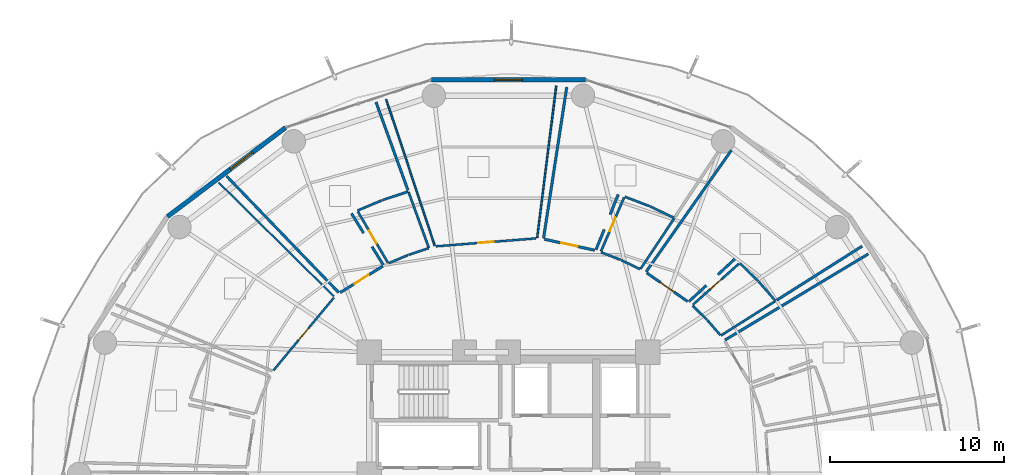
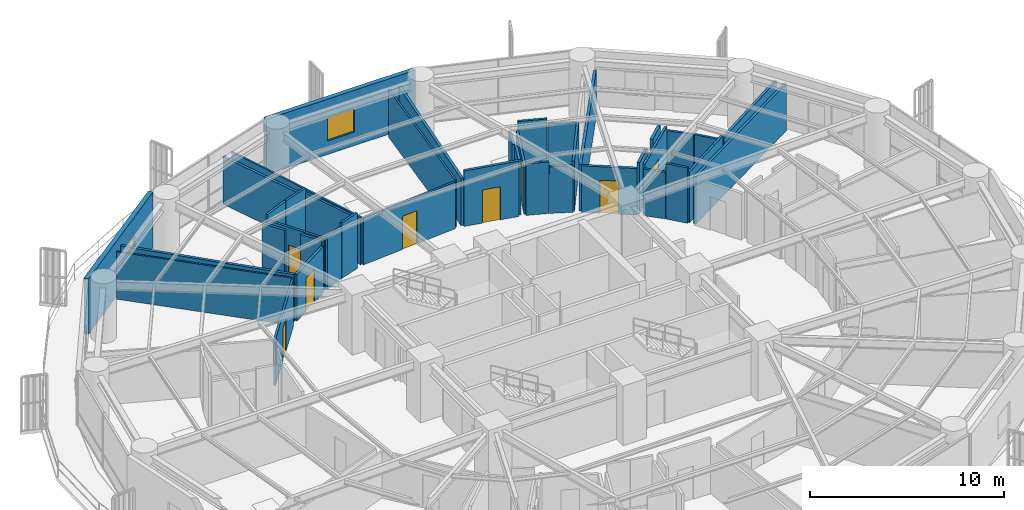
# One storey, part 28 of 33: 40 walls, 8 doors, 2 windows, 10 openings.
"""IFC4 building model written with IfcOpenShell, lengths in metres."""

from ifc_helpers import new_model, si_unit, direction, frame, frame_2d, origin, place, context, subcontext, project, spatial, rectangle, extrude, material, layer, layer_set, type_object, element, fill, save


model = new_model("IFC4")

# Units and contexts
model_context = context("Model", 3, precision=1e-05, world=origin(), true_north=direction((0.0, 1.0)))
body_context = subcontext(model_context, "Body", "Model", "MODEL_VIEW")
ifc_project = project(units=[si_unit("LENGTHUNIT", "METRE"), si_unit("AREAUNIT", "SQUARE_METRE"), si_unit("VOLUMEUNIT", "CUBIC_METRE"), si_unit("PLANEANGLEUNIT", "RADIAN"), si_unit("MASSUNIT", "GRAM", prefix="KILO")], contexts=[model_context])

# Site, building, storey
site_placement = place(None, origin())
site = spatial("IfcSite", under=ifc_project, at=site_placement, CompositionType="ELEMENT")
building_placement = place(site_placement, origin())
building = spatial("IfcBuilding", under=site, at=building_placement, Name="Kelanora Arch Commons", CompositionType="ELEMENT")
storey_placement = place(building_placement, frame((0.0, 0.0, 83.85009765625)))
storey = spatial("IfcBuildingStorey", under=building, at=storey_placement, Name="L21", CompositionType="ELEMENT", Elevation=83.85009765625)

# Wall, opening, door
ifc_material_1 = material(Name="Autoclaved aerated concrete blockwork with fire plaster", Category="masonry")
ifc_layer_1 = layer(ifc_material_1, 0.14990234375)
ifc_layer_set_1 = layer_set([ifc_layer_1], Name="Autoclaved aerated concrete blockwork with fire plaster")
wall_type_1 = type_object("IfcWallType", Name="W-COMP-150", PredefinedType="PARTITIONING", material=ifc_layer_set_1)
wall_1_placement = place(storey_placement, frame((84.2978515625, 67.92041015625, 0.0), z_axis=(0.0, 0.0, 1.0), x_axis=(-0.819775565256, 0.572684924378, 0.0)))
wall_1 = element("IfcWall", 1, at=wall_1_placement, inside=storey, type_object=wall_type_1, Name="Co-Living Studio L21-02 Entry Partition", PredefinedType="PARTITIONING", context=body_context, shape_type="SweptSolid", body=[
    extrude(rectangle(XDim=2.867431640625, YDim=0.14990234375, at=frame_2d((1.43359375, 0.0))), origin(), (0.0, 0.0, 1.0), 2.9248046875),
])
opening_1_placement = place(wall_1_placement, frame((0.958984375, 0.0, 0.0)))
opening_1 = element("IfcOpeningElement", 2, at=opening_1_placement, cuts=wall_1, Name="Opening D-CLU1", PredefinedType="OPENING", context=body_context, shape_type="SweptSolid", body=[
    extrude(rectangle(XDim=0.949951171875, YDim=2.080078125, at=frame_2d((0.47509765625, 1.0400390625))), frame((0.0, 0.0849609375, 0.0), z_axis=(0.0, -1.0, 0.0), x_axis=(1.0, 0.0, 0.0)), (0.0, 0.0, 1.0), 0.169921875),
])
ifc_material_2 = material(Name="Solid-core acoustic timber cluster entry fire door", Category="wood")
door_type_1 = type_object("IfcDoorType", Name="D-CLU-95", OperationType="NOTDEFINED", PredefinedType="DOOR", material=ifc_material_2)
door_1_placement = place(opening_1_placement, origin())
door_1 = element("IfcDoor", 3, at=door_1_placement, inside=storey, type_object=door_type_1, Name="Co-Living Studio L21-02 Door", OperationType="SINGLE_SWING_RIGHT", OverallHeight=2.080078125, OverallWidth=0.949951171875, PredefinedType="DOOR", context=body_context, shape_type="SweptSolid", body=[
    extrude(rectangle(XDim=0.949951171875, YDim=2.080078125, at=frame_2d((0.47509765625, 1.0400390625))), frame((0.0, 0.02490234375, 0.0), z_axis=(0.0, -1.0, 0.0), x_axis=(1.0, 0.0, 0.0)), (0.0, 0.0, 1.0), 0.050048828125),
])
fill(opening_1, door_1)

wall_2_placement = place(storey_placement, frame((78.96044921875, 70.86083984375, 0.0), z_axis=(0.0, 0.0, 1.0), x_axis=(-0.976789452363, 0.214201694093, 0.0)))
wall_2 = element("IfcWall", 4, at=wall_2_placement, inside=storey, type_object=wall_type_1, Name="Co-Living Studio L21-03 Entry Partition", PredefinedType="PARTITIONING", context=body_context, shape_type="SweptSolid", body=[
    extrude(rectangle(XDim=2.95654296875, YDim=0.14990234375, at=frame_2d((1.478271484375, 0.0))), origin(), (0.0, 0.0, 1.0), 3.47998046875),
])
opening_2_placement = place(wall_2_placement, frame((1.0029296875, 0.0, 0.0)))
opening_2 = element("IfcOpeningElement", 5, at=opening_2_placement, cuts=wall_2, Name="Opening D-CLU1", PredefinedType="OPENING", context=body_context, shape_type="SweptSolid", body=[
    extrude(rectangle(XDim=0.949951171875, YDim=2.080078125, at=frame_2d((0.47509765625, 1.0400390625))), frame((0.0, 0.0849609375, 0.0), z_axis=(0.0, -1.0, 0.0), x_axis=(1.0, 0.0, 0.0)), (0.0, 0.0, 1.0), 0.169921875),
])
door_2_placement = place(opening_2_placement, origin())
door_2 = element("IfcDoor", 6, at=door_2_placement, inside=storey, type_object=door_type_1, Name="Co-Living Studio L21-03 Door", OperationType="SINGLE_SWING_RIGHT", OverallHeight=2.080078125, OverallWidth=0.949951171875, PredefinedType="DOOR", context=body_context, shape_type="SweptSolid", body=[
    extrude(rectangle(XDim=0.949951171875, YDim=2.080078125, at=frame_2d((0.47509765625, 1.0400390625))), frame((0.0, 0.02490234375, 0.0), z_axis=(0.0, -1.0, 0.0), x_axis=(1.0, 0.0, 0.0)), (0.0, 0.0, 1.0), 0.050048828125),
])
fill(opening_2, door_2)

wall_3_placement = place(storey_placement, frame((66.779052734375, 69.947265625, 0.0), z_axis=(0.0, 0.0, 1.0), x_axis=(-0.849569495091, -0.527476703761, 0.0)))
wall_3 = element("IfcWall", 7, at=wall_3_placement, inside=storey, type_object=wall_type_1, Name="Co-Living Studio L21-05 Entry Partition", PredefinedType="PARTITIONING", context=body_context, shape_type="SweptSolid", body=[
    extrude(rectangle(XDim=2.882568359375, YDim=0.14990234375, at=frame_2d((1.44140625, 0.0))), origin(), (0.0, 0.0, 1.0), 2.9248046875),
])
opening_3_placement = place(wall_3_placement, frame((0.966064453125, 0.0, 0.0)))
opening_3 = element("IfcOpeningElement", 8, at=opening_3_placement, cuts=wall_3, Name="Opening D-CLU1", PredefinedType="OPENING", context=body_context, shape_type="SweptSolid", body=[
    extrude(rectangle(XDim=0.949951171875, YDim=2.080078125, at=frame_2d((0.47509765625, 1.0400390625))), frame((0.0, 0.0849609375, 0.0), z_axis=(0.0, -1.0, 0.0), x_axis=(1.0, 0.0, 0.0)), (0.0, 0.0, 1.0), 0.169921875),
])
door_3_placement = place(opening_3_placement, origin())
door_3 = element("IfcDoor", 9, at=door_3_placement, inside=storey, type_object=door_type_1, Name="Co-Living Studio L21-05 Door", OperationType="SINGLE_SWING_LEFT", OverallHeight=2.080078125, OverallWidth=0.949951171875, PredefinedType="DOOR", context=body_context, shape_type="SweptSolid", body=[
    extrude(rectangle(XDim=0.949951171875, YDim=2.080078125, at=frame_2d((0.47509765625, 1.0400390625))), frame((0.0, 0.02490234375, 0.0), z_axis=(0.0, -1.0, 0.0), x_axis=(1.0, 0.0, 0.0)), (0.0, 0.0, 1.0), 0.050048828125),
])
fill(opening_3, door_3)

# Walls
wall_4_placement = place(storey_placement, frame((86.4501953125, 65.70166015625, 0.0), z_axis=(0.0, 0.0, 1.0), x_axis=(0.857261851198, 0.514880683731, 0.0)))
element("IfcWall", 10, at=wall_4_placement, inside=storey, type_object=wall_type_1, Name="Co-Living Studio L21-01 Enclosure Partition 2", PredefinedType="PARTITIONING", context=body_context, shape_type="SweptSolid", body=[
    extrude(rectangle(XDim=9.605712890625, YDim=0.14990234375, at=frame_2d((4.802734375, 0.0))), origin(), (0.0, 0.0, 1.0), 2.974853515625),
])
wall_5_placement = place(storey_placement, frame((81.9208984375, 69.629638671875, 0.0), z_axis=(0.0, 0.0, 1.0), x_axis=(0.574246298275, 0.818682593511, 0.0)))
element("IfcWall", 11, at=wall_5_placement, inside=storey, type_object=wall_type_1, Name="Co-Living Studio L21-02 Enclosure Partition 2", PredefinedType="PARTITIONING", context=body_context, shape_type="SweptSolid", body=[
    extrude(rectangle(XDim=8.524658203125, YDim=0.14990234375, at=frame_2d((4.26220703125, 0.0))), origin(), (0.0, 0.0, 1.0), 2.9248046875),
])
wall_6_placement = place(storey_placement, frame((94.333251953125, 71.0966796875, 0.0), z_axis=(0.0, 0.0, 1.0), x_axis=(-0.845032344767, -0.534715191759, 0.0)))
element("IfcWall", 12, at=wall_6_placement, inside=storey, type_object=wall_type_1, Name="Co-Living Studio L21-02 Enclosure Partition 5", PredefinedType="PARTITIONING", context=body_context, shape_type="SweptSolid", body=[
    extrude(rectangle(XDim=5.810791015625, YDim=0.14990234375, at=frame_2d((2.9052734375, 0.0))), origin(), (0.0, 0.0, 1.0), 2.974853515625),
])
wall_7_placement = place(storey_placement, frame((87.0166015625, 70.36279296875, 0.0), z_axis=(0.0, 0.0, 1.0), x_axis=(-0.733142432265, -0.680075123801, 0.0)))
element("IfcWall", 13, at=wall_7_placement, inside=storey, type_object=wall_type_1, Name="Co-Living Studio L21-02 Enclosure Partition 7", PredefinedType="PARTITIONING", context=body_context, shape_type="SweptSolid", body=[
    extrude(rectangle(XDim=1.3203125, YDim=0.14990234375, at=frame_2d((0.66015625, 0.0))), origin(), (0.0, 0.0, 1.0), 3.1748046875),
])
wall_8_placement = place(storey_placement, frame((85.3740234375, 68.8388671875, 0.0), z_axis=(0.0, 0.0, 1.0), x_axis=(-0.733068131904, -0.680155213159, 0.0)))
element("IfcWall", 14, at=wall_8_placement, inside=storey, type_object=wall_type_1, Name="Co-Living Studio L21-02 Enclosure Partition 7", PredefinedType="PARTITIONING", context=body_context, shape_type="SweptSolid", body=[
    extrude(rectangle(XDim=1.361083984375, YDim=0.14990234375, at=frame_2d((0.6806640625, 0.0))), origin(), (0.0, 0.0, 1.0), 3.23486328125),
])
wall_9_placement = place(storey_placement, frame((76.02001953125, 71.54638671875, 0.0), z_axis=(0.0, 0.0, 1.0), x_axis=(0.151710828081, 0.988424921096, 0.0)))
element("IfcWall", 15, at=wall_9_placement, inside=storey, type_object=wall_type_1, Name="Co-Living Studio L21-03 Enclosure Partition 2", PredefinedType="PARTITIONING", context=body_context, shape_type="SweptSolid", body=[
    extrude(rectangle(XDim=8.79296875, YDim=0.14990234375, at=frame_2d((4.396484375, 0.0))), origin(), (0.0, 0.0, 1.0), 2.974853515625),
])
wall_10_placement = place(storey_placement, frame((80.31298828125, 74.06494140625, 0.0), z_axis=(0.0, 0.0, 1.0), x_axis=(-0.373249856729, -0.927730857766, 0.0)))
element("IfcWall", 16, at=wall_10_placement, inside=storey, type_object=wall_type_1, Name="Co-Living Studio L21-03 Enclosure Partition 7", PredefinedType="PARTITIONING", context=body_context, shape_type="SweptSolid", body=[
    extrude(rectangle(XDim=1.24462890625, YDim=0.14990234375, at=frame_2d((0.622314453125, 0.0))), origin(), (0.0, 0.0, 1.0), 2.9248046875),
])
wall_11_placement = place(storey_placement, frame((79.505126953125, 72.056396484375, 0.0), z_axis=(0.0, 0.0, 1.0), x_axis=(-0.373190252803, -0.927754835726, 0.0)))
element("IfcWall", 17, at=wall_11_placement, inside=storey, type_object=wall_type_1, Name="Co-Living Studio L21-03 Enclosure Partition 7", PredefinedType="PARTITIONING", context=body_context, shape_type="SweptSolid", body=[
    extrude(rectangle(XDim=1.2626953125, YDim=0.14990234375, at=frame_2d((0.63134765625, 0.0))), origin(), (0.0, 0.0, 1.0), 3.47998046875),
])
wall_12_placement = place(storey_placement, frame((64.251220703125, 68.423828125, 0.0), z_axis=(0.0, 0.0, 1.0), x_axis=(-0.693645221886, 0.720316809574, 0.0)))
element("IfcWall", 18, at=wall_12_placement, inside=storey, type_object=wall_type_1, Name="Co-Living Studio L21-05 Enclosure Partition 2", PredefinedType="PARTITIONING", context=body_context, shape_type="SweptSolid", body=[
    extrude(rectangle(XDim=9.290771484375, YDim=0.14990234375, at=frame_2d((4.6455078125, 0.0))), origin(), (0.0, 0.0, 1.0), 2.974853515625),
])
wall_13_placement = place(storey_placement, frame((66.388671875, 79.37841796875, 0.0), z_axis=(0.0, 0.0, 1.0), x_axis=(0.340728267281, -0.940161820048, 0.0)))
element("IfcWall", 19, at=wall_13_placement, inside=storey, type_object=wall_type_1, Name="Co-Living Studio L21-05 Enclosure Partition 5", PredefinedType="PARTITIONING", context=body_context, shape_type="SweptSolid", body=[
    extrude(rectangle(XDim=5.390380859375, YDim=0.14990234375, at=frame_2d((2.6953125, 0.0))), origin(), (0.0, 0.0, 1.0), 2.974853515625),
])
wall_14_placement = place(storey_placement, frame((64.98095703125, 72.97900390625, 0.0), z_axis=(0.0, 0.0, 1.0), x_axis=(0.524609403226, -0.851343041345, 0.0)))
element("IfcWall", 20, at=wall_14_placement, inside=storey, type_object=wall_type_1, Name="Co-Living Studio L21-05 Enclosure Partition 7", PredefinedType="PARTITIONING", context=body_context, shape_type="SweptSolid", body=[
    extrude(rectangle(XDim=1.330078125, YDim=0.14990234375, at=frame_2d((0.6650390625, 0.0))), origin(), (0.0, 0.0, 1.0), 3.1748046875),
])
wall_15_placement = place(storey_placement, frame((66.16162109375, 71.0634765625, 0.0), z_axis=(0.0, 0.0, 1.0), x_axis=(0.52475967521, -0.851250423362, 0.0)))
element("IfcWall", 21, at=wall_15_placement, inside=storey, type_object=wall_type_1, Name="Co-Living Studio L21-05 Enclosure Partition 7", PredefinedType="PARTITIONING", context=body_context, shape_type="SweptSolid", body=[
    extrude(rectangle(XDim=1.23388671875, YDim=0.14990234375, at=frame_2d((0.616943359375, 0.0))), origin(), (0.0, 0.0, 1.0), 3.23486328125),
])

# Wall, opening, window
ifc_material_3 = material(Name="Precast concrete C40/50 with terracotta rainscreen", Category="masonry")
ifc_layer_2 = layer(ifc_material_3, 0.260009765625)
ifc_layer_set_2 = layer_set([ifc_layer_2], Name="Precast concrete C40/50 with terracotta rainscreen")
wall_type_2 = type_object("IfcWallType", Name="W-EXT-TC", PredefinedType="SOLIDWALL", material=ifc_layer_set_2)
wall_16_placement = place(storey_placement, frame((78.430419921875, 80.650634765625, 0.0), z_axis=(0.0, 0.0, 1.0), x_axis=(-1.0, 0.0, 0.0)))
wall_16 = element("IfcWall", 22, at=wall_16_placement, inside=storey, type_object=wall_type_2, Name="Terracotta Exterior Wall L21-B04", PredefinedType="SOLIDWALL", context=body_context, shape_type="SweptSolid", body=[
    extrude(rectangle(XDim=8.86083984375, YDim=0.260009765625, at=frame_2d((4.430419921875, 0.0))), origin(), (0.0, 0.0, 1.0), 3.474853515625),
])
opening_4_placement = place(wall_16_placement, frame((3.6298828125, 0.0, 0.85009765625)))
opening_4 = element("IfcOpeningElement", 23, at=opening_4_placement, cuts=wall_16, Name="Opening WN-01", PredefinedType="OPENING", context=body_context, shape_type="SweptSolid", body=[
    extrude(rectangle(XDim=1.60009765625, YDim=1.449951171875, at=frame_2d((0.800048828125, 0.72509765625))), frame((0.0, 0.14013671875, 0.0), z_axis=(0.0, -1.0, 0.0), x_axis=(1.0, 0.0, 0.0)), (0.0, 0.0, 1.0), 0.280029296875),
])
ifc_material_4 = material(Name="Terracotta-anodised aluminium frame with operable low-E glazing", Category="masonry")
window_type = type_object("IfcWindowType", Name="WIN-CL-18", PartitioningType="DOUBLE_PANEL_VERTICAL", PredefinedType="WINDOW", material=ifc_material_4)
window_1_placement = place(opening_4_placement, origin())
window_1 = element("IfcWindow", 24, at=window_1_placement, inside=storey, type_object=window_type, Name="Co-Living Operable Window L21-B04", OverallHeight=1.449951171875, OverallWidth=1.60009765625, PartitioningType="SINGLE_PANEL", PredefinedType="WINDOW", context=body_context, shape_type="SweptSolid", body=[
    extrude(rectangle(XDim=1.60009765625, YDim=1.449951171875, at=frame_2d((0.800048828125, 0.72509765625))), frame((0.0, 0.030029296875, 0.0), z_axis=(0.0, -1.0, 0.0), x_axis=(1.0, 0.0, 0.0)), (0.0, 0.0, 1.0), 0.06005859375),
])
fill(opening_4, window_1)

wall_17_placement = place(storey_placement, frame((61.18798828125, 77.90966796875, 0.0), z_axis=(0.0, 0.0, 1.0), x_axis=(-0.798501507879, -0.601992808857, 0.0)))
wall_17 = element("IfcWall", 25, at=wall_17_placement, inside=storey, type_object=wall_type_2, Name="Terracotta Exterior Wall L21-B06", PredefinedType="SOLIDWALL", context=body_context, shape_type="SweptSolid", body=[
    extrude(rectangle(XDim=8.499267578125, YDim=0.260009765625, at=frame_2d((4.24951171875, 0.0))), origin(), (0.0, 0.0, 1.0), 3.474853515625),
])
opening_5_placement = place(wall_17_placement, frame((2.3701171875, 0.0, 0.85009765625)))
opening_5 = element("IfcOpeningElement", 26, at=opening_5_placement, cuts=wall_17, Name="Opening WN-01", PredefinedType="OPENING", context=body_context, shape_type="SweptSolid", body=[
    extrude(rectangle(XDim=1.60009765625, YDim=1.449951171875, at=frame_2d((0.800048828125, 0.72509765625))), frame((0.0, 0.14013671875, 0.0), z_axis=(0.0, -1.0, 0.0), x_axis=(1.0, 0.0, 0.0)), (0.0, 0.0, 1.0), 0.280029296875),
])
window_2_placement = place(opening_5_placement, origin())
window_2 = element("IfcWindow", 27, at=window_2_placement, inside=storey, type_object=window_type, Name="Co-Living Operable Window L21-B06", OverallHeight=1.449951171875, OverallWidth=1.60009765625, PartitioningType="SINGLE_PANEL", PredefinedType="WINDOW", context=body_context, shape_type="SweptSolid", body=[
    extrude(rectangle(XDim=1.60009765625, YDim=1.449951171875, at=frame_2d((0.800048828125, 0.72509765625))), frame((0.0, 0.030029296875, 0.0), z_axis=(0.0, -1.0, 0.0), x_axis=(1.0, 0.0, 0.0)), (0.0, 0.0, 1.0), 0.06005859375),
])
fill(opening_5, window_2)

# Walls
ifc_material_5 = material(Name="Lightweight fire-rated acoustic stud partition")
ifc_layer_3 = layer(ifc_material_5, 0.10009765625)
ifc_layer_set_3 = layer_set([ifc_layer_3], Name="Lightweight fire-rated acoustic stud partition")
wall_type_3 = type_object("IfcWallType", Name="W-PART-100", PredefinedType="PARTITIONING", material=ifc_layer_set_3)
wall_18_placement = place(storey_placement, frame((69.769287109375, 71.1201171875, 0.0), z_axis=(0.0, 0.0, 1.0), x_axis=(-0.315178903164, 0.949032275005, 0.0)))
element("IfcWall", 28, at=wall_18_placement, inside=storey, type_object=wall_type_3, Name="Communal Dining and Social Hall L21-04 Enclosure Partition 2", PredefinedType="PARTITIONING", context=body_context, shape_type="SweptSolid", body=[
    extrude(rectangle(XDim=8.8701171875, YDim=0.10009765625, at=frame_2d((4.43505859375, 0.0))), origin(), (0.0, 0.0, 1.0), 2.974853515625),
])
wall_19_placement = place(storey_placement, frame((76.7470703125, 80.30419921875, 0.0), z_axis=(0.0, 0.0, 1.0), x_axis=(-0.124421236745, -0.992229487491, 0.0)))
element("IfcWall", 29, at=wall_19_placement, inside=storey, type_object=wall_type_3, Name="Communal Dining and Social Hall L21-04 Enclosure Partition 4", PredefinedType="PARTITIONING", context=body_context, shape_type="SweptSolid", body=[
    extrude(rectangle(XDim=8.784912109375, YDim=0.10009765625, at=frame_2d((4.392578125, 0.0))), origin(), (0.0, 0.0, 1.0), 2.974853515625),
])
wall_20_placement = place(storey_placement, frame((57.344482421875, 74.755859375, 0.0), z_axis=(0.0, 0.0, 1.0), x_axis=(0.711285789258, -0.702902927864, 0.0)))
element("IfcWall", 30, at=wall_20_placement, inside=storey, type_object=wall_type_3, Name="Social Sky Lounge L21-06 Enclosure Partition 4", PredefinedType="PARTITIONING", context=body_context, shape_type="SweptSolid", body=[
    extrude(rectangle(XDim=9.319580078125, YDim=0.10009765625, at=frame_2d((4.65966796875, 0.0))), origin(), (0.0, 0.0, 1.0), 2.974853515625),
])

# Wall, opening, door
ifc_material_6 = material(Name="Acoustic twin-stud fire-rated gypsum partition")
ifc_layer_4 = layer(ifc_material_6, 0.1201171875)
ifc_layer_set_4 = layer_set([ifc_layer_4], Name="Acoustic twin-stud fire-rated gypsum partition")
wall_type_4 = type_object("IfcWallType", Name="W-PART-120", PredefinedType="PARTITIONING", material=ifc_layer_set_4)
wall_21_placement = place(storey_placement, frame((75.589111328125, 71.543212890625, 0.0), z_axis=(0.0, 0.0, 1.0), x_axis=(-0.996863165686, -0.079144354814, 0.0)))
wall_21 = element("IfcWall", 31, at=wall_21_placement, inside=storey, type_object=wall_type_4, Name="Communal Dining and Social Hall L21-04 Entry Partition", PredefinedType="PARTITIONING", context=body_context, shape_type="SweptSolid", body=[
    extrude(rectangle(XDim=5.765380859375, YDim=0.1201171875, at=frame_2d((2.8828125, 0.0))), origin(), (0.0, 0.0, 1.0), 2.9248046875),
])
opening_6_placement = place(wall_21_placement, frame((2.43310546875, 0.0, 0.0)))
opening_6 = element("IfcOpeningElement", 32, at=opening_6_placement, cuts=wall_21, Name="Opening D-RM1", PredefinedType="OPENING", context=body_context, shape_type="SweptSolid", body=[
    extrude(rectangle(XDim=0.89990234375, YDim=2.080078125, at=frame_2d((0.449951171875, 1.0400390625))), frame((0.0, 0.070068359375, 0.0), z_axis=(0.0, -1.0, 0.0), x_axis=(1.0, 0.0, 0.0)), (0.0, 0.0, 1.0), 0.14013671875),
])
ifc_material_7 = material(Name="Acoustic fire-rated timber study and lounge door", Category="wood")
door_type_2 = type_object("IfcDoorType", Name="D-ROOM-90", OperationType="NOTDEFINED", PredefinedType="DOOR", material=ifc_material_7)
door_4_placement = place(opening_6_placement, origin())
door_4 = element("IfcDoor", 33, at=door_4_placement, inside=storey, type_object=door_type_2, Name="Communal Dining and Social Hall L21-04 Door", OperationType="SINGLE_SWING_LEFT", OverallHeight=2.080078125, OverallWidth=0.89990234375, PredefinedType="DOOR", context=body_context, shape_type="SweptSolid", body=[
    extrude(rectangle(XDim=0.89990234375, YDim=2.080078125, at=frame_2d((0.449951171875, 1.0400390625))), frame((0.0, 0.02490234375, 0.0), z_axis=(0.0, -1.0, 0.0), x_axis=(1.0, 0.0, 0.0)), (0.0, 0.0, 1.0), 0.050048828125),
])
fill(opening_6, door_4)

wall_22_placement = place(storey_placement, frame((63.963623046875, 68.130859375, 0.0), z_axis=(0.0, 0.0, 1.0), x_axis=(-0.639104047727, -0.769120287198, 0.0)))
wall_22 = element("IfcWall", 34, at=wall_22_placement, inside=storey, type_object=wall_type_4, Name="Social Sky Lounge L21-06 Entry Partition", PredefinedType="PARTITIONING", context=body_context, shape_type="SweptSolid", body=[
    extrude(rectangle(XDim=5.4267578125, YDim=0.1201171875, at=frame_2d((2.71337890625, 0.0))), origin(), (0.0, 0.0, 1.0), 2.9248046875),
])
opening_7_placement = place(wall_22_placement, frame((2.262939453125, 0.0, 0.0)))
opening_7 = element("IfcOpeningElement", 35, at=opening_7_placement, cuts=wall_22, Name="Opening D-RM1", PredefinedType="OPENING", context=body_context, shape_type="SweptSolid", body=[
    extrude(rectangle(XDim=0.89990234375, YDim=2.080078125, at=frame_2d((0.449951171875, 1.0400390625))), frame((0.0, 0.070068359375, 0.0), z_axis=(0.0, -1.0, 0.0), x_axis=(1.0, 0.0, 0.0)), (0.0, 0.0, 1.0), 0.14013671875),
])
door_5_placement = place(opening_7_placement, origin())
door_5 = element("IfcDoor", 36, at=door_5_placement, inside=storey, type_object=door_type_2, Name="Social Sky Lounge L21-06 Door", OperationType="SINGLE_SWING_RIGHT", OverallHeight=2.080078125, OverallWidth=0.89990234375, PredefinedType="DOOR", context=body_context, shape_type="SweptSolid", body=[
    extrude(rectangle(XDim=0.89990234375, YDim=2.080078125, at=frame_2d((0.449951171875, 1.0400390625))), frame((0.0, 0.02490234375, 0.0), z_axis=(0.0, -1.0, 0.0), x_axis=(1.0, 0.0, 0.0)), (0.0, 0.0, 1.0), 0.050048828125),
])
fill(opening_7, door_5)

ifc_material_8 = material(Name="Moisture-resistant fire-rated cement-board plumbing wall")
ifc_layer_5 = layer(ifc_material_8, 0.1298828125)
ifc_layer_set_5 = layer_set([ifc_layer_5], Name="Moisture-resistant fire-rated cement-board plumbing wall")
wall_type_5 = type_object("IfcWallType", Name="W-WET-120", PredefinedType="PLUMBINGWALL", material=ifc_layer_set_5)
wall_23_placement = place(storey_placement, frame((84.60888671875, 67.73583984375, 0.0), z_axis=(0.0, 0.0, 1.0), x_axis=(0.746989483068, 0.664835853565, 0.0)))
wall_23 = element("IfcWall", 37, at=wall_23_placement, inside=storey, type_object=wall_type_5, Name="En-Suite Shower WC L21-02 Entry Partition", PredefinedType="PLUMBINGWALL", context=body_context, shape_type="SweptSolid", body=[
    extrude(rectangle(XDim=3.530517578125, YDim=0.1298828125, at=frame_2d((1.76513671875, 0.0))), origin(), (0.0, 0.0, 1.0), 3.1748046875),
])
opening_8_placement = place(wall_23_placement, frame((1.3349609375, 0.0, 0.0)))
opening_8 = element("IfcOpeningElement", 38, at=opening_8_placement, cuts=wall_23, Name="Opening D-BT1", PredefinedType="OPENING", context=body_context, shape_type="SweptSolid", body=[
    extrude(rectangle(XDim=0.860107421875, YDim=2.050048828125, at=frame_2d((0.43017578125, 1.02490234375))), frame((0.0, 0.074951171875, 0.0), z_axis=(0.0, -1.0, 0.0), x_axis=(1.0, 0.0, 0.0)), (0.0, 0.0, 1.0), 0.14990234375),
])
ifc_material_9 = material(Name="Moisture-sealed fire-rated accessible bathroom door")
door_type_3 = type_object("IfcDoorType", Name="D-BATH-85", OperationType="NOTDEFINED", PredefinedType="DOOR", material=ifc_material_9)
door_6_placement = place(opening_8_placement, origin())
door_6 = element("IfcDoor", 39, at=door_6_placement, inside=storey, type_object=door_type_3, Name="En-Suite Shower WC L21-02 Door", OperationType="SINGLE_SWING_LEFT", OverallHeight=2.050048828125, OverallWidth=0.860107421875, PredefinedType="DOOR", context=body_context, shape_type="SweptSolid", body=[
    extrude(rectangle(XDim=0.860107421875, YDim=2.050048828125, at=frame_2d((0.43017578125, 1.02490234375))), frame((0.0, 0.02490234375, 0.0), z_axis=(0.0, -1.0, 0.0), x_axis=(1.0, 0.0, 0.0)), (0.0, 0.0, 1.0), 0.050048828125),
])
fill(opening_8, door_6)

wall_24_placement = place(storey_placement, frame((79.32568359375, 70.80908203125, 0.0), z_axis=(0.0, 0.0, 1.0), x_axis=(0.394174106006, 0.919035785024, 0.0)))
wall_24 = element("IfcWall", 40, at=wall_24_placement, inside=storey, type_object=wall_type_5, Name="En-Suite Shower WC L21-03 Entry Partition", PredefinedType="PLUMBINGWALL", context=body_context, shape_type="SweptSolid", body=[
    extrude(rectangle(XDim=3.353271484375, YDim=0.1298828125, at=frame_2d((1.6767578125, 0.0))), origin(), (0.0, 0.0, 1.0), 2.9248046875),
])
opening_9_placement = place(wall_24_placement, frame((1.2470703125, 0.0, 0.0)))
opening_9 = element("IfcOpeningElement", 41, at=opening_9_placement, cuts=wall_24, Name="Opening D-BT1", PredefinedType="OPENING", context=body_context, shape_type="SweptSolid", body=[
    extrude(rectangle(XDim=0.860107421875, YDim=2.050048828125, at=frame_2d((0.43017578125, 1.02490234375))), frame((0.0, 0.074951171875, 0.0), z_axis=(0.0, -1.0, 0.0), x_axis=(1.0, 0.0, 0.0)), (0.0, 0.0, 1.0), 0.14990234375),
])
door_7_placement = place(opening_9_placement, origin())
door_7 = element("IfcDoor", 42, at=door_7_placement, inside=storey, type_object=door_type_3, Name="En-Suite Shower WC L21-03 Door", OperationType="SINGLE_SWING_LEFT", OverallHeight=2.050048828125, OverallWidth=0.860107421875, PredefinedType="DOOR", context=body_context, shape_type="SweptSolid", body=[
    extrude(rectangle(XDim=0.860107421875, YDim=2.050048828125, at=frame_2d((0.43017578125, 1.02490234375))), frame((0.0, 0.02490234375, 0.0), z_axis=(0.0, -1.0, 0.0), x_axis=(1.0, 0.0, 0.0)), (0.0, 0.0, 1.0), 0.050048828125),
])
fill(opening_9, door_7)

wall_25_placement = place(storey_placement, frame((67.065673828125, 70.15869140625, 0.0), z_axis=(0.0, 0.0, 1.0), x_axis=(-0.506831608452, 0.862045080419, 0.0)))
wall_25 = element("IfcWall", 43, at=wall_25_placement, inside=storey, type_object=wall_type_5, Name="En-Suite Shower WC L21-05 Entry Partition", PredefinedType="PLUMBINGWALL", context=body_context, shape_type="SweptSolid", body=[
    extrude(rectangle(XDim=3.39599609375, YDim=0.1298828125, at=frame_2d((1.697998046875, 0.0))), origin(), (0.0, 0.0, 1.0), 3.1748046875),
])
opening_10_placement = place(wall_25_placement, frame((1.26806640625, 0.0, 0.0)))
opening_10 = element("IfcOpeningElement", 44, at=opening_10_placement, cuts=wall_25, Name="Opening D-BT1", PredefinedType="OPENING", context=body_context, shape_type="SweptSolid", body=[
    extrude(rectangle(XDim=0.860107421875, YDim=2.050048828125, at=frame_2d((0.43017578125, 1.02490234375))), frame((0.0, 0.074951171875, 0.0), z_axis=(0.0, -1.0, 0.0), x_axis=(1.0, 0.0, 0.0)), (0.0, 0.0, 1.0), 0.14990234375),
])
door_8_placement = place(opening_10_placement, origin())
door_8 = element("IfcDoor", 45, at=door_8_placement, inside=storey, type_object=door_type_3, Name="En-Suite Shower WC L21-05 Door", OperationType="SINGLE_SWING_RIGHT", OverallHeight=2.050048828125, OverallWidth=0.860107421875, PredefinedType="DOOR", context=body_context, shape_type="SweptSolid", body=[
    extrude(rectangle(XDim=0.860107421875, YDim=2.050048828125, at=frame_2d((0.43017578125, 1.02490234375))), frame((0.0, 0.02490234375, 0.0), z_axis=(0.0, -1.0, 0.0), x_axis=(1.0, 0.0, 0.0)), (0.0, 0.0, 1.0), 0.050048828125),
])
fill(opening_10, door_8)

# Walls
wall_26_placement = place(storey_placement, frame((86.19287109375, 65.968994140625, 0.0), z_axis=(0.0, 0.0, 1.0), x_axis=(-0.654583900851, 0.755989362853, 0.0)))
element("IfcWall", 46, at=wall_26_placement, inside=storey, type_object=wall_type_5, Name="En-Suite Shower WC L21-02 Enclosure Partition 1", PredefinedType="PLUMBINGWALL", context=body_context, shape_type="SweptSolid", body=[
    extrude(rectangle(XDim=1.1533203125, YDim=0.1298828125, at=frame_2d((0.57666015625, 0.0))), origin(), (0.0, 0.0, 1.0), 3.47998046875),
])
wall_27_placement = place(storey_placement, frame((85.41064453125, 66.8701171875, 0.0), z_axis=(0.0, 0.0, 1.0), x_axis=(-0.715871547002, 0.698232001696, 0.0)))
element("IfcWall", 47, at=wall_27_placement, inside=storey, type_object=wall_type_5, Name="En-Suite Shower WC L21-02 Enclosure Partition 2", PredefinedType="PLUMBINGWALL", context=body_context, shape_type="SweptSolid", body=[
    extrude(rectangle(XDim=1.16259765625, YDim=0.1298828125, at=frame_2d((0.581298828125, 0.0))), origin(), (0.0, 0.0, 1.0), 2.9248046875),
])
wall_28_placement = place(storey_placement, frame((87.305419921875, 70.109130859375, 0.0), z_axis=(0.0, 0.0, 1.0), x_axis=(0.718235032224, -0.69580057379, 0.0)))
element("IfcWall", 48, at=wall_28_placement, inside=storey, type_object=wall_type_5, Name="En-Suite Shower WC L21-02 Enclosure Partition 4", PredefinedType="PLUMBINGWALL", context=body_context, shape_type="SweptSolid", body=[
    extrude(rectangle(XDim=1.46923828125, YDim=0.1298828125, at=frame_2d((0.734619140625, 0.0))), origin(), (0.0, 0.0, 1.0), 2.9248046875),
])
wall_29_placement = place(storey_placement, frame((88.38818359375, 69.057861328125, 0.0), z_axis=(0.0, 0.0, 1.0), x_axis=(0.656315808405, -0.754486288568, 0.0)))
element("IfcWall", 49, at=wall_29_placement, inside=storey, type_object=wall_type_5, Name="En-Suite Shower WC L21-02 Enclosure Partition 5", PredefinedType="PLUMBINGWALL", context=body_context, shape_type="SweptSolid", body=[
    extrude(rectangle(XDim=1.454833984375, YDim=0.1298828125, at=frame_2d((0.7275390625, 0.0))), origin(), (0.0, 0.0, 1.0), 2.9248046875),
])
wall_30_placement = place(storey_placement, frame((89.339111328125, 67.934326171875, 0.0), z_axis=(0.0, 0.0, 1.0), x_axis=(-0.845293712827, -0.53430191751, 0.0)))
element("IfcWall", 50, at=wall_30_placement, inside=storey, type_object=wall_type_5, Name="En-Suite Shower WC L21-02 Enclosure Partition 6", PredefinedType="PLUMBINGWALL", context=body_context, shape_type="SweptSolid", body=[
    extrude(rectangle(XDim=3.6865234375, YDim=0.1298828125, at=frame_2d((1.84326171875, 0.0))), origin(), (0.0, 0.0, 1.0), 3.1748046875),
])
wall_31_placement = place(storey_placement, frame((81.56494140625, 69.776611328125, 0.0), z_axis=(0.0, 0.0, 1.0), x_axis=(-0.901710288712, 0.432340785991, 0.0)))
element("IfcWall", 51, at=wall_31_placement, inside=storey, type_object=wall_type_5, Name="En-Suite Shower WC L21-03 Enclosure Partition 1", PredefinedType="PLUMBINGWALL", context=body_context, shape_type="SweptSolid", body=[
    extrude(rectangle(XDim=1.199951171875, YDim=0.1298828125, at=frame_2d((0.60009765625, 0.0))), origin(), (0.0, 0.0, 1.0), 2.9248046875),
])
wall_32_placement = place(storey_placement, frame((80.4462890625, 70.311279296875, 0.0), z_axis=(0.0, 0.0, 1.0), x_axis=(-0.932603244632, 0.360903294669, 0.0)))
element("IfcWall", 52, at=wall_32_placement, inside=storey, type_object=wall_type_5, Name="En-Suite Shower WC L21-03 Enclosure Partition 2", PredefinedType="PLUMBINGWALL", context=body_context, shape_type="SweptSolid", body=[
    extrude(rectangle(XDim=1.206787109375, YDim=0.1298828125, at=frame_2d((0.603515625, 0.0))), origin(), (0.0, 0.0, 1.0), 3.23486328125),
])
wall_33_placement = place(storey_placement, frame((80.689697265625, 73.938720703125, 0.0), z_axis=(0.0, 0.0, 1.0), x_axis=(0.933707809738, -0.358035928413, 0.0)))
element("IfcWall", 53, at=wall_33_placement, inside=storey, type_object=wall_type_5, Name="En-Suite Shower WC L21-03 Enclosure Partition 4", PredefinedType="PLUMBINGWALL", context=body_context, shape_type="SweptSolid", body=[
    extrude(rectangle(XDim=1.52685546875, YDim=0.1298828125, at=frame_2d((0.763427734375, 0.0))), origin(), (0.0, 0.0, 1.0), 3.47998046875),
])
wall_34_placement = place(storey_placement, frame((82.152099609375, 73.37646484375, 0.0), z_axis=(0.0, 0.0, 1.0), x_axis=(0.902598876691, -0.430482598714, 0.0)))
element("IfcWall", 54, at=wall_34_placement, inside=storey, type_object=wall_type_5, Name="En-Suite Shower WC L21-03 Enclosure Partition 5", PredefinedType="PLUMBINGWALL", context=body_context, shape_type="SweptSolid", body=[
    extrude(rectangle(XDim=1.518798828125, YDim=0.1298828125, at=frame_2d((0.75927734375, 0.0))), origin(), (0.0, 0.0, 1.0), 3.1748046875),
])
wall_35_placement = place(storey_placement, frame((83.52978515625, 72.697265625, 0.0), z_axis=(0.0, 0.0, 1.0), x_axis=(-0.553523611894, -0.832833483402, 0.0)))
element("IfcWall", 55, at=wall_35_placement, inside=storey, type_object=wall_type_5, Name="En-Suite Shower WC L21-03 Enclosure Partition 6", PredefinedType="PLUMBINGWALL", context=body_context, shape_type="SweptSolid", body=[
    extrude(rectangle(XDim=3.497314453125, YDim=0.1298828125, at=frame_2d((1.74853515625, 0.0))), origin(), (0.0, 0.0, 1.0), 3.1748046875),
])
wall_36_placement = place(storey_placement, frame((69.410888671875, 70.978759765625, 0.0), z_axis=(0.0, 0.0, 1.0), x_axis=(-0.948784055635, -0.315925332592, 0.0)))
element("IfcWall", 56, at=wall_36_placement, inside=storey, type_object=wall_type_5, Name="En-Suite Shower WC L21-05 Enclosure Partition 1", PredefinedType="PLUMBINGWALL", context=body_context, shape_type="SweptSolid", body=[
    extrude(rectangle(XDim=1.2109375, YDim=0.1298828125, at=frame_2d((0.60546875, 0.0))), origin(), (0.0, 0.0, 1.0), 3.47998046875),
])
wall_37_placement = place(storey_placement, frame((68.224609375, 70.582275390625, 0.0), z_axis=(0.0, 0.0, 1.0), x_axis=(-0.921601034592, -0.388138548767, 0.0)))
element("IfcWall", 57, at=wall_37_placement, inside=storey, type_object=wall_type_5, Name="En-Suite Shower WC L21-05 Enclosure Partition 2", PredefinedType="PLUMBINGWALL", context=body_context, shape_type="SweptSolid", body=[
    extrude(rectangle(XDim=1.20458984375, YDim=0.1298828125, at=frame_2d((0.602294921875, 0.0))), origin(), (0.0, 0.0, 1.0), 3.23486328125),
])
wall_38_placement = place(storey_placement, frame((65.33251953125, 73.145751953125, 0.0), z_axis=(0.0, 0.0, 1.0), x_axis=(0.922426393113, 0.38617295256, 0.0)))
element("IfcWall", 58, at=wall_38_placement, inside=storey, type_object=wall_type_5, Name="En-Suite Shower WC L21-05 Enclosure Partition 4", PredefinedType="PLUMBINGWALL", context=body_context, shape_type="SweptSolid", body=[
    extrude(rectangle(XDim=1.524169921875, YDim=0.1298828125, at=frame_2d((0.76220703125, 0.0))), origin(), (0.0, 0.0, 1.0), 3.47998046875),
])
wall_39_placement = place(storey_placement, frame((66.77587890625, 73.748291015625, 0.0), z_axis=(0.0, 0.0, 1.0), x_axis=(0.949634335139, 0.313360223265, 0.0)))
element("IfcWall", 59, at=wall_39_placement, inside=storey, type_object=wall_type_5, Name="En-Suite Shower WC L21-05 Enclosure Partition 5", PredefinedType="PLUMBINGWALL", context=body_context, shape_type="SweptSolid", body=[
    extrude(rectangle(XDim=1.533203125, YDim=0.1298828125, at=frame_2d((0.7666015625, 0.0))), origin(), (0.0, 0.0, 1.0), 3.47998046875),
])
wall_40_placement = place(storey_placement, frame((68.2578125, 74.21630859375, 0.0), z_axis=(0.0, 0.0, 1.0), x_axis=(0.341002962554, -0.940062221095, 0.0)))
element("IfcWall", 60, at=wall_40_placement, inside=storey, type_object=wall_type_5, Name="En-Suite Shower WC L21-05 Enclosure Partition 6", PredefinedType="PLUMBINGWALL", context=body_context, shape_type="SweptSolid", body=[
    extrude(rectangle(XDim=3.417236328125, YDim=0.1298828125, at=frame_2d((1.70849609375, 0.0))), origin(), (0.0, 0.0, 1.0), 3.1748046875),
])

save(model, "model.ifc")
